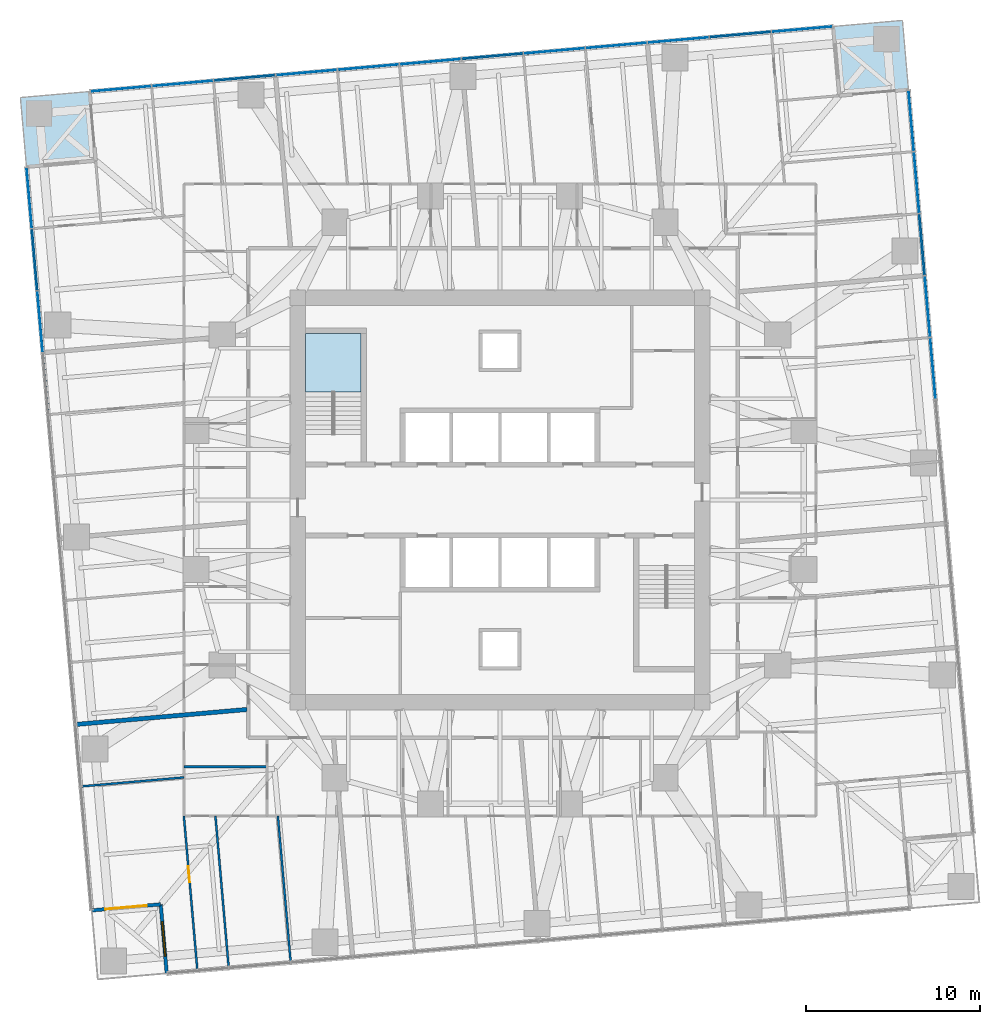
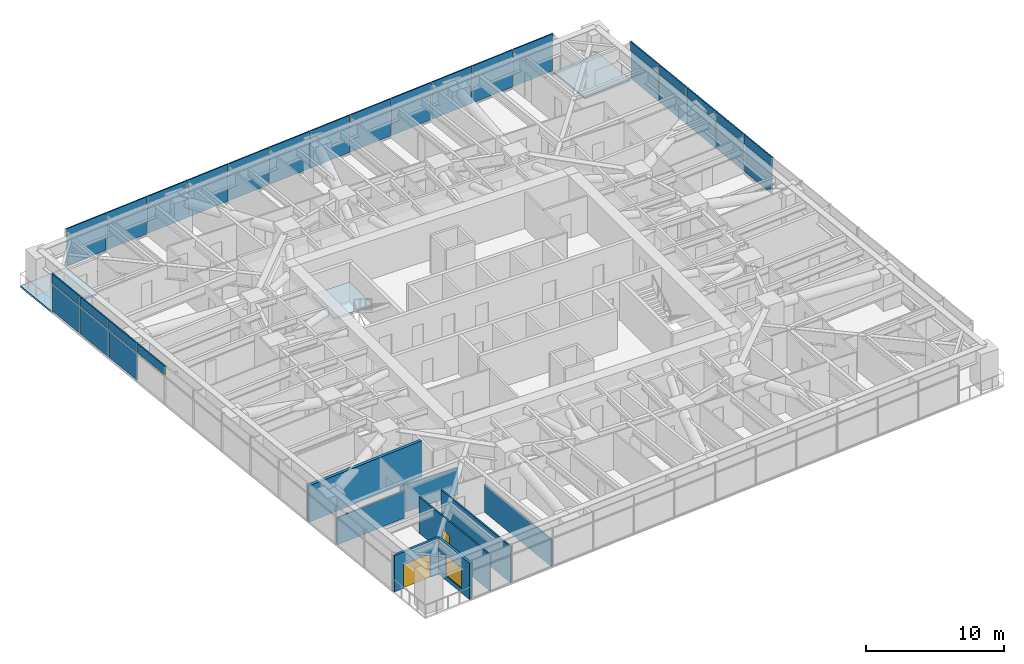
# One storey, part 10 of 18: 41 plates, 8 walls, 3 slabs, 2 doors, 1 window, 3 openings, 4 elements without a shape of their own.
"""IFC4 building model written with IfcOpenShell, lengths in metres."""

from ifc_helpers import new_model, si_unit, direction, frame, frame_2d, origin, origin_2d, place, context, subcontext, project, spatial, polyline, rectangle, outline, extrude, material, layer, layer_set, type_object, element, fill, aggregate, save


model = new_model("IFC4")

# Units and contexts
model_context = context("Model", 3, precision=1e-05, world=origin(), true_north=direction((0.0, 1.0)))
body_context = subcontext(model_context, "Body", "Model", "MODEL_VIEW")
ifc_project = project(units=[si_unit("LENGTHUNIT", "METRE"), si_unit("AREAUNIT", "SQUARE_METRE"), si_unit("VOLUMEUNIT", "CUBIC_METRE"), si_unit("PLANEANGLEUNIT", "RADIAN"), si_unit("MASSUNIT", "GRAM", prefix="KILO")], contexts=[model_context])

# Site, building, storey
site_placement = place(None, origin())
site = spatial("IfcSite", under=ifc_project, at=site_placement, CompositionType="ELEMENT")
building_placement = place(site_placement, origin())
building = spatial("IfcBuilding", under=site, at=building_placement, Name="Torsade Residences", CompositionType="ELEMENT")
storey_placement = place(building_placement, frame((0.0, 0.0, 71.0)))
storey = spatial("IfcBuildingStorey", under=building, at=storey_placement, Name="L19", CompositionType="ELEMENT", Elevation=71.0)

# Curtain wall, plates
ifc_material_1 = material(Name="Aluminium and glass", Category="aluminium")
curtain_wall_type = type_object("IfcCurtainWallType", Name="FRITTED GLASS CURTAIN WALL LOW ZONE", PredefinedType="NOTDEFINED", material=ifc_material_1)
curtain_wall_1_placement = place(storey_placement, origin())
curtain_wall_1 = element("IfcCurtainWall", 1, at=curtain_wall_1_placement, inside=storey, type_object=curtain_wall_type, Name="Curtain wall L19 face 4", PredefinedType="NOTDEFINED")
ifc_material_2 = material(Name="Laminated glass", Category="glass")
ifc_layer_1 = layer(ifc_material_2, 0.031982421875)
ifc_layer_set_1 = layer_set([ifc_layer_1], Name="Laminated glass")
plate_type_1 = type_object("IfcPlateType", Name="FRITTED GLASS PANEL", PredefinedType="CURTAIN_PANEL", material=ifc_layer_set_1)
plate_1_placement = place(storey_placement, frame((64.9345703125, 37.576904296875, 0.10009765625), z_axis=(0.0, 0.0, 1.0), x_axis=(-0.087155744208, 0.996194697964, 0.0)))
plate_1 = element("IfcPlate", 2, at=plate_1_placement, type_object=plate_type_1, Name="Panel 8", PredefinedType="CURTAIN_PANEL", context=body_context, shape_type="SweptSolid", body=[
    extrude(rectangle(XDim=3.518310546875, YDim=0.031982421875, at=origin_2d()), origin(), (0.0, 0.0, 1.0), 2.39990234375),
])
plate_2_placement = place(storey_placement, frame((64.622314453125, 41.146728515625, 0.10009765625), z_axis=(0.0, 0.0, 1.0), x_axis=(-0.087155744208, 0.996194697964, 0.0)))
plate_2 = element("IfcPlate", 3, at=plate_2_placement, type_object=plate_type_1, Name="Panel 9", PredefinedType="CURTAIN_PANEL", context=body_context, shape_type="SweptSolid", body=[
    extrude(rectangle(XDim=3.518310546875, YDim=0.031982421875, at=origin_2d()), origin(), (0.0, 0.0, 1.0), 2.39990234375),
])
plate_3_placement = place(storey_placement, frame((63.99755859375, 48.2861328125, 0.10009765625), z_axis=(0.0, 0.0, 1.0), x_axis=(-0.087155744208, 0.996194697964, 0.0)))
plate_3 = element("IfcPlate", 4, at=plate_3_placement, type_object=plate_type_1, Name="Panel 11", PredefinedType="CURTAIN_PANEL", context=body_context, shape_type="SweptSolid", body=[
    extrude(rectangle(XDim=3.518310546875, YDim=0.031982421875, at=origin_2d()), origin(), (0.0, 0.0, 1.0), 2.39990234375),
])
plate_4_placement = place(storey_placement, frame((63.686767578125, 51.839599609375, 0.10009765625), z_axis=(0.0, 0.0, 1.0), x_axis=(-0.087155744208, 0.996194697964, 0.0)))
plate_4 = element("IfcPlate", 5, at=plate_4_placement, type_object=plate_type_1, Name="Panel 12", PredefinedType="CURTAIN_PANEL", context=body_context, shape_type="SweptSolid", body=[
    extrude(rectangle(XDim=3.48583984375, YDim=0.031982421875, at=origin_2d()), origin(), (0.0, 0.0, 1.0), 2.39990234375),
])

curtain_wall_2_placement = place(storey_placement, origin())
curtain_wall_2 = element("IfcCurtainWall", 6, at=curtain_wall_2_placement, inside=storey, type_object=curtain_wall_type, Name="Curtain wall L19 face 7", PredefinedType="NOTDEFINED")
plate_5_placement = place(storey_placement, frame((57.394775390625, 57.119140625, 0.10009765625), z_axis=(0.0, 0.0, 1.0), x_axis=(-0.996194697964, -0.087155744208, 0.0)))
plate_5 = element("IfcPlate", 7, at=plate_5_placement, type_object=plate_type_1, Name="Panel 1", PredefinedType="CURTAIN_PANEL", context=body_context, shape_type="SweptSolid", body=[
    extrude(rectangle(XDim=3.48583984375, YDim=0.031982421875, at=origin_2d()), origin(), (0.0, 0.0, 1.0), 2.39990234375),
])
plate_6_placement = place(storey_placement, frame((50.271484375, 56.49609375, 0.10009765625), z_axis=(0.0, 0.0, 1.0), x_axis=(-0.996194697964, -0.087155744208, 0.0)))
plate_6 = element("IfcPlate", 8, at=plate_6_placement, type_object=plate_type_1, Name="Panel 3", PredefinedType="CURTAIN_PANEL", context=body_context, shape_type="SweptSolid", body=[
    extrude(rectangle(XDim=3.518310546875, YDim=0.031982421875, at=origin_2d()), origin(), (0.0, 0.0, 1.0), 2.39990234375),
])
plate_7_placement = place(storey_placement, frame((46.70166015625, 56.183837890625, 0.10009765625), z_axis=(0.0, 0.0, 1.0), x_axis=(-0.996194697964, -0.087155744208, 0.0)))
plate_7 = element("IfcPlate", 9, at=plate_7_placement, type_object=plate_type_1, Name="Panel 4", PredefinedType="CURTAIN_PANEL", context=body_context, shape_type="SweptSolid", body=[
    extrude(rectangle(XDim=3.518310546875, YDim=0.031982421875, at=origin_2d()), origin(), (0.0, 0.0, 1.0), 2.39990234375),
])
plate_8_placement = place(storey_placement, frame((43.132080078125, 55.871337890625, 0.10009765625), z_axis=(0.0, 0.0, 1.0), x_axis=(-0.996194697964, -0.087155744208, 0.0)))
plate_8 = element("IfcPlate", 10, at=plate_8_placement, type_object=plate_type_1, Name="Panel 5", PredefinedType="CURTAIN_PANEL", context=body_context, shape_type="SweptSolid", body=[
    extrude(rectangle(XDim=3.518310546875, YDim=0.031982421875, at=origin_2d()), origin(), (0.0, 0.0, 1.0), 2.39990234375),
])
plate_9_placement = place(storey_placement, frame((35.99267578125, 55.246826171875, 0.10009765625), z_axis=(0.0, 0.0, 1.0), x_axis=(-0.996194697964, -0.087155744208, 0.0)))
plate_9 = element("IfcPlate", 11, at=plate_9_placement, type_object=plate_type_1, Name="Panel 7", PredefinedType="CURTAIN_PANEL", context=body_context, shape_type="SweptSolid", body=[
    extrude(rectangle(XDim=3.518310546875, YDim=0.031982421875, at=origin_2d()), origin(), (0.0, 0.0, 1.0), 2.39990234375),
])
plate_10_placement = place(storey_placement, frame((32.423095703125, 54.9345703125, 0.10009765625), z_axis=(0.0, 0.0, 1.0), x_axis=(-0.996194697964, -0.087155744208, 0.0)))
plate_10 = element("IfcPlate", 12, at=plate_10_placement, type_object=plate_type_1, Name="Panel 8", PredefinedType="CURTAIN_PANEL", context=body_context, shape_type="SweptSolid", body=[
    extrude(rectangle(XDim=3.518310546875, YDim=0.031982421875, at=origin_2d()), origin(), (0.0, 0.0, 1.0), 2.39990234375),
])
plate_11_placement = place(storey_placement, frame((28.853271484375, 54.622314453125, 0.10009765625), z_axis=(0.0, 0.0, 1.0), x_axis=(-0.996194697964, -0.087155744208, 0.0)))
plate_11 = element("IfcPlate", 13, at=plate_11_placement, type_object=plate_type_1, Name="Panel 9", PredefinedType="CURTAIN_PANEL", context=body_context, shape_type="SweptSolid", body=[
    extrude(rectangle(XDim=3.518310546875, YDim=0.031982421875, at=origin_2d()), origin(), (0.0, 0.0, 1.0), 2.39990234375),
])
plate_12_placement = place(storey_placement, frame((21.7138671875, 53.99755859375, 0.10009765625), z_axis=(0.0, 0.0, 1.0), x_axis=(-0.996194697964, -0.087155744208, 0.0)))
plate_12 = element("IfcPlate", 14, at=plate_12_placement, type_object=plate_type_1, Name="Panel 11", PredefinedType="CURTAIN_PANEL", context=body_context, shape_type="SweptSolid", body=[
    extrude(rectangle(XDim=3.518310546875, YDim=0.031982421875, at=origin_2d()), origin(), (0.0, 0.0, 1.0), 2.39990234375),
])
plate_13_placement = place(storey_placement, frame((18.160400390625, 53.686767578125, 0.10009765625), z_axis=(0.0, 0.0, 1.0), x_axis=(-0.996194697964, -0.087155744208, 0.0)))
plate_13 = element("IfcPlate", 15, at=plate_13_placement, type_object=plate_type_1, Name="Panel 12", PredefinedType="CURTAIN_PANEL", context=body_context, shape_type="SweptSolid", body=[
    extrude(rectangle(XDim=3.48583984375, YDim=0.031982421875, at=origin_2d()), origin(), (0.0, 0.0, 1.0), 2.39990234375),
])

curtain_wall_3_placement = place(storey_placement, origin())
curtain_wall_3 = element("IfcCurtainWall", 16, at=curtain_wall_3_placement, inside=storey, type_object=curtain_wall_type, Name="Curtain wall L19 face 10", PredefinedType="NOTDEFINED")
plate_14_placement = place(storey_placement, frame((12.880859375, 47.394775390625, 0.10009765625), z_axis=(0.0, 0.0, 1.0), x_axis=(0.087155744208, -0.996194697964, 0.0)))
plate_14 = element("IfcPlate", 17, at=plate_14_placement, type_object=plate_type_1, Name="Panel 1", PredefinedType="CURTAIN_PANEL", context=body_context, shape_type="SweptSolid", body=[
    extrude(rectangle(XDim=3.48583984375, YDim=0.031982421875, at=origin_2d()), origin(), (0.0, 0.0, 1.0), 2.39990234375),
])
plate_15_placement = place(storey_placement, frame((13.50390625, 40.271484375, 0.10009765625), z_axis=(0.0, 0.0, 1.0), x_axis=(0.087155744208, -0.996194697964, 0.0)))
plate_15 = element("IfcPlate", 18, at=plate_15_placement, type_object=plate_type_1, Name="Panel 3", PredefinedType="CURTAIN_PANEL", context=body_context, shape_type="SweptSolid", body=[
    extrude(rectangle(XDim=3.518310546875, YDim=0.031982421875, at=origin_2d()), origin(), (0.0, 0.0, 1.0), 2.39990234375),
])

# Plate
ifc_material_3 = material(Name="Aluminium composite spandrel panel", Category="aluminium")
ifc_layer_2 = layer(ifc_material_3, 0.10009765625)
ifc_layer_set_2 = layer_set([ifc_layer_2], Name="Aluminium composite spandrel panel")
plate_type_2 = type_object("IfcPlateType", Name="OPAQUE SPANDREL PANEL", PredefinedType="CURTAIN_PANEL", material=ifc_layer_set_2)
plate_16_placement = place(storey_placement, frame((64.9345703125, 37.576904296875, 2.60009765625), z_axis=(0.0, 0.0, 1.0), x_axis=(-0.087155744208, 0.996194697964, 0.0)))
plate_16 = element("IfcPlate", 19, at=plate_16_placement, type_object=plate_type_2, Name="Spandrel panel 8", PredefinedType="CURTAIN_PANEL", context=body_context, shape_type="SweptSolid", body=[
    extrude(rectangle(XDim=3.518310546875, YDim=0.10009765625, at=origin_2d()), origin(), (0.0, 0.0, 1.0), 0.800048828125),
])

plate_17_placement = place(storey_placement, frame((64.622314453125, 41.146728515625, 2.60009765625), z_axis=(0.0, 0.0, 1.0), x_axis=(-0.087155744208, 0.996194697964, 0.0)))
plate_17 = element("IfcPlate", 20, at=plate_17_placement, type_object=plate_type_2, Name="Spandrel panel 9", PredefinedType="CURTAIN_PANEL", context=body_context, shape_type="SweptSolid", body=[
    extrude(rectangle(XDim=3.518310546875, YDim=0.10009765625, at=origin_2d()), origin(), (0.0, 0.0, 1.0), 0.800048828125),
])

plate_18_placement = place(storey_placement, frame((64.309814453125, 44.71630859375, 2.60009765625), z_axis=(0.0, 0.0, 1.0), x_axis=(-0.087155744208, 0.996194697964, 0.0)))
plate_18 = element("IfcPlate", 21, at=plate_18_placement, type_object=plate_type_2, Name="Spandrel panel 10", PredefinedType="CURTAIN_PANEL", context=body_context, shape_type="SweptSolid", body=[
    extrude(rectangle(XDim=3.518310546875, YDim=0.10009765625, at=origin_2d()), origin(), (0.0, 0.0, 1.0), 0.800048828125),
])

plate_19_placement = place(storey_placement, frame((63.99755859375, 48.2861328125, 2.60009765625), z_axis=(0.0, 0.0, 1.0), x_axis=(-0.087155744208, 0.996194697964, 0.0)))
plate_19 = element("IfcPlate", 22, at=plate_19_placement, type_object=plate_type_2, Name="Spandrel panel 11", PredefinedType="CURTAIN_PANEL", context=body_context, shape_type="SweptSolid", body=[
    extrude(rectangle(XDim=3.518310546875, YDim=0.10009765625, at=origin_2d()), origin(), (0.0, 0.0, 1.0), 0.800048828125),
])

plate_20_placement = place(storey_placement, frame((63.686767578125, 51.839599609375, 2.60009765625), z_axis=(0.0, 0.0, 1.0), x_axis=(-0.087155744208, 0.996194697964, 0.0)))
plate_20 = element("IfcPlate", 23, at=plate_20_placement, type_object=plate_type_2, Name="Spandrel panel 12", PredefinedType="CURTAIN_PANEL", context=body_context, shape_type="SweptSolid", body=[
    extrude(rectangle(XDim=3.48583984375, YDim=0.10009765625, at=origin_2d()), origin(), (0.0, 0.0, 1.0), 0.800048828125),
])

plate_21_placement = place(storey_placement, frame((57.394775390625, 57.119140625, 2.60009765625), z_axis=(0.0, 0.0, 1.0), x_axis=(-0.996194697964, -0.087155744208, 0.0)))
plate_21 = element("IfcPlate", 24, at=plate_21_placement, type_object=plate_type_2, Name="Spandrel panel 1", PredefinedType="CURTAIN_PANEL", context=body_context, shape_type="SweptSolid", body=[
    extrude(rectangle(XDim=3.48583984375, YDim=0.10009765625, at=origin_2d()), origin(), (0.0, 0.0, 1.0), 0.800048828125),
])

plate_22_placement = place(storey_placement, frame((53.841064453125, 56.808349609375, 2.60009765625), z_axis=(0.0, 0.0, 1.0), x_axis=(-0.996194697964, -0.087155744208, 0.0)))
plate_22 = element("IfcPlate", 25, at=plate_22_placement, type_object=plate_type_2, Name="Spandrel panel 2", PredefinedType="CURTAIN_PANEL", context=body_context, shape_type="SweptSolid", body=[
    extrude(rectangle(XDim=3.518310546875, YDim=0.10009765625, at=origin_2d()), origin(), (0.0, 0.0, 1.0), 0.800048828125),
])

plate_23_placement = place(storey_placement, frame((50.271484375, 56.49609375, 2.60009765625), z_axis=(0.0, 0.0, 1.0), x_axis=(-0.996194697964, -0.087155744208, 0.0)))
plate_23 = element("IfcPlate", 26, at=plate_23_placement, type_object=plate_type_2, Name="Spandrel panel 3", PredefinedType="CURTAIN_PANEL", context=body_context, shape_type="SweptSolid", body=[
    extrude(rectangle(XDim=3.518310546875, YDim=0.10009765625, at=origin_2d()), origin(), (0.0, 0.0, 1.0), 0.800048828125),
])

plate_24_placement = place(storey_placement, frame((46.70166015625, 56.183837890625, 2.60009765625), z_axis=(0.0, 0.0, 1.0), x_axis=(-0.996194697964, -0.087155744208, 0.0)))
plate_24 = element("IfcPlate", 27, at=plate_24_placement, type_object=plate_type_2, Name="Spandrel panel 4", PredefinedType="CURTAIN_PANEL", context=body_context, shape_type="SweptSolid", body=[
    extrude(rectangle(XDim=3.518310546875, YDim=0.10009765625, at=origin_2d()), origin(), (0.0, 0.0, 1.0), 0.800048828125),
])

plate_25_placement = place(storey_placement, frame((43.132080078125, 55.871337890625, 2.60009765625), z_axis=(0.0, 0.0, 1.0), x_axis=(-0.996194697964, -0.087155744208, 0.0)))
plate_25 = element("IfcPlate", 28, at=plate_25_placement, type_object=plate_type_2, Name="Spandrel panel 5", PredefinedType="CURTAIN_PANEL", context=body_context, shape_type="SweptSolid", body=[
    extrude(rectangle(XDim=3.518310546875, YDim=0.10009765625, at=origin_2d()), origin(), (0.0, 0.0, 1.0), 0.800048828125),
])

plate_26_placement = place(storey_placement, frame((39.562255859375, 55.55908203125, 2.60009765625), z_axis=(0.0, 0.0, 1.0), x_axis=(-0.996194697964, -0.087155744208, 0.0)))
plate_26 = element("IfcPlate", 29, at=plate_26_placement, type_object=plate_type_2, Name="Spandrel panel 6", PredefinedType="CURTAIN_PANEL", context=body_context, shape_type="SweptSolid", body=[
    extrude(rectangle(XDim=3.518310546875, YDim=0.10009765625, at=origin_2d()), origin(), (0.0, 0.0, 1.0), 0.800048828125),
])

plate_27_placement = place(storey_placement, frame((35.99267578125, 55.246826171875, 2.60009765625), z_axis=(0.0, 0.0, 1.0), x_axis=(-0.996194697964, -0.087155744208, 0.0)))
plate_27 = element("IfcPlate", 30, at=plate_27_placement, type_object=plate_type_2, Name="Spandrel panel 7", PredefinedType="CURTAIN_PANEL", context=body_context, shape_type="SweptSolid", body=[
    extrude(rectangle(XDim=3.518310546875, YDim=0.10009765625, at=origin_2d()), origin(), (0.0, 0.0, 1.0), 0.800048828125),
])

plate_28_placement = place(storey_placement, frame((32.423095703125, 54.9345703125, 2.60009765625), z_axis=(0.0, 0.0, 1.0), x_axis=(-0.996194697964, -0.087155744208, 0.0)))
plate_28 = element("IfcPlate", 31, at=plate_28_placement, type_object=plate_type_2, Name="Spandrel panel 8", PredefinedType="CURTAIN_PANEL", context=body_context, shape_type="SweptSolid", body=[
    extrude(rectangle(XDim=3.518310546875, YDim=0.10009765625, at=origin_2d()), origin(), (0.0, 0.0, 1.0), 0.800048828125),
])

plate_29_placement = place(storey_placement, frame((28.853271484375, 54.622314453125, 2.60009765625), z_axis=(0.0, 0.0, 1.0), x_axis=(-0.996194697964, -0.087155744208, 0.0)))
plate_29 = element("IfcPlate", 32, at=plate_29_placement, type_object=plate_type_2, Name="Spandrel panel 9", PredefinedType="CURTAIN_PANEL", context=body_context, shape_type="SweptSolid", body=[
    extrude(rectangle(XDim=3.518310546875, YDim=0.10009765625, at=origin_2d()), origin(), (0.0, 0.0, 1.0), 0.800048828125),
])

plate_30_placement = place(storey_placement, frame((25.28369140625, 54.309814453125, 2.60009765625), z_axis=(0.0, 0.0, 1.0), x_axis=(-0.996194697964, -0.087155744208, 0.0)))
plate_30 = element("IfcPlate", 33, at=plate_30_placement, type_object=plate_type_2, Name="Spandrel panel 10", PredefinedType="CURTAIN_PANEL", context=body_context, shape_type="SweptSolid", body=[
    extrude(rectangle(XDim=3.518310546875, YDim=0.10009765625, at=origin_2d()), origin(), (0.0, 0.0, 1.0), 0.800048828125),
])

plate_31_placement = place(storey_placement, frame((21.7138671875, 53.99755859375, 2.60009765625), z_axis=(0.0, 0.0, 1.0), x_axis=(-0.996194697964, -0.087155744208, 0.0)))
plate_31 = element("IfcPlate", 34, at=plate_31_placement, type_object=plate_type_2, Name="Spandrel panel 11", PredefinedType="CURTAIN_PANEL", context=body_context, shape_type="SweptSolid", body=[
    extrude(rectangle(XDim=3.518310546875, YDim=0.10009765625, at=origin_2d()), origin(), (0.0, 0.0, 1.0), 0.800048828125),
])

plate_32_placement = place(storey_placement, frame((18.160400390625, 53.686767578125, 2.60009765625), z_axis=(0.0, 0.0, 1.0), x_axis=(-0.996194697964, -0.087155744208, 0.0)))
plate_32 = element("IfcPlate", 35, at=plate_32_placement, type_object=plate_type_2, Name="Spandrel panel 12", PredefinedType="CURTAIN_PANEL", context=body_context, shape_type="SweptSolid", body=[
    extrude(rectangle(XDim=3.48583984375, YDim=0.10009765625, at=origin_2d()), origin(), (0.0, 0.0, 1.0), 0.800048828125),
])

plate_33_placement = place(storey_placement, frame((12.880859375, 47.394775390625, 2.60009765625), z_axis=(0.0, 0.0, 1.0), x_axis=(0.087155744208, -0.996194697964, 0.0)))
plate_33 = element("IfcPlate", 36, at=plate_33_placement, type_object=plate_type_2, Name="Spandrel panel 1", PredefinedType="CURTAIN_PANEL", context=body_context, shape_type="SweptSolid", body=[
    extrude(rectangle(XDim=3.48583984375, YDim=0.10009765625, at=origin_2d()), origin(), (0.0, 0.0, 1.0), 0.800048828125),
])

plate_34_placement = place(storey_placement, frame((13.191650390625, 43.841064453125, 2.60009765625), z_axis=(0.0, 0.0, 1.0), x_axis=(0.087155744208, -0.996194697964, 0.0)))
plate_34 = element("IfcPlate", 37, at=plate_34_placement, type_object=plate_type_2, Name="Spandrel panel 2", PredefinedType="CURTAIN_PANEL", context=body_context, shape_type="SweptSolid", body=[
    extrude(rectangle(XDim=3.518310546875, YDim=0.10009765625, at=origin_2d()), origin(), (0.0, 0.0, 1.0), 0.800048828125),
])

plate_35_placement = place(storey_placement, frame((13.50390625, 40.271484375, 2.60009765625), z_axis=(0.0, 0.0, 1.0), x_axis=(0.087155744208, -0.996194697964, 0.0)))
plate_35 = element("IfcPlate", 38, at=plate_35_placement, type_object=plate_type_2, Name="Spandrel panel 3", PredefinedType="CURTAIN_PANEL", context=body_context, shape_type="SweptSolid", body=[
    extrude(rectangle(XDim=3.518310546875, YDim=0.10009765625, at=origin_2d()), origin(), (0.0, 0.0, 1.0), 0.800048828125),
])

plate_36_placement = place(storey_placement, frame((13.816162109375, 36.70166015625, 2.60009765625), z_axis=(0.0, 0.0, 1.0), x_axis=(0.087155744208, -0.996194697964, 0.0)))
plate_36 = element("IfcPlate", 39, at=plate_36_placement, type_object=plate_type_2, Name="Spandrel panel 4", PredefinedType="CURTAIN_PANEL", context=body_context, shape_type="SweptSolid", body=[
    extrude(rectangle(XDim=3.518310546875, YDim=0.10009765625, at=origin_2d()), origin(), (0.0, 0.0, 1.0), 0.800048828125),
])

ifc_material_4 = material(Name="Laminated glass", Category="glass")
ifc_layer_3 = layer(ifc_material_4, 0.0400390625)
ifc_layer_set_3 = layer_set([ifc_layer_3], Name="Laminated glass")
plate_type_3 = type_object("IfcPlateType", Name="OPERABLE VENT PANEL", PredefinedType="CURTAIN_PANEL", material=ifc_layer_set_3)
plate_37_placement = place(storey_placement, frame((64.309814453125, 44.71630859375, 0.10009765625), z_axis=(0.0, 0.0, 1.0), x_axis=(-0.087155744208, 0.996194697964, 0.0)))
plate_37 = element("IfcPlate", 40, at=plate_37_placement, type_object=plate_type_3, Name="Panel 10", PredefinedType="CURTAIN_PANEL", context=body_context, shape_type="SweptSolid", body=[
    extrude(rectangle(XDim=3.518310546875, YDim=0.0400390625, at=origin_2d()), origin(), (0.0, 0.0, 1.0), 2.39990234375),
])

aggregate(curtain_wall_1, [plate_1, plate_16, plate_2, plate_17, plate_37, plate_18, plate_3, plate_19, plate_4, plate_20])

plate_38_placement = place(storey_placement, frame((53.841064453125, 56.808349609375, 0.10009765625), z_axis=(0.0, 0.0, 1.0), x_axis=(-0.996194697964, -0.087155744208, 0.0)))
plate_38 = element("IfcPlate", 41, at=plate_38_placement, type_object=plate_type_3, Name="Panel 2", PredefinedType="CURTAIN_PANEL", context=body_context, shape_type="SweptSolid", body=[
    extrude(rectangle(XDim=3.518310546875, YDim=0.0400390625, at=origin_2d()), origin(), (0.0, 0.0, 1.0), 2.39990234375),
])

plate_39_placement = place(storey_placement, frame((39.562255859375, 55.55908203125, 0.10009765625), z_axis=(0.0, 0.0, 1.0), x_axis=(-0.996194697964, -0.087155744208, 0.0)))
plate_39 = element("IfcPlate", 42, at=plate_39_placement, type_object=plate_type_3, Name="Panel 6", PredefinedType="CURTAIN_PANEL", context=body_context, shape_type="SweptSolid", body=[
    extrude(rectangle(XDim=3.518310546875, YDim=0.0400390625, at=origin_2d()), origin(), (0.0, 0.0, 1.0), 2.39990234375),
])

plate_40_placement = place(storey_placement, frame((25.28369140625, 54.309814453125, 0.10009765625), z_axis=(0.0, 0.0, 1.0), x_axis=(-0.996194697964, -0.087155744208, 0.0)))
plate_40 = element("IfcPlate", 43, at=plate_40_placement, type_object=plate_type_3, Name="Panel 10", PredefinedType="CURTAIN_PANEL", context=body_context, shape_type="SweptSolid", body=[
    extrude(rectangle(XDim=3.518310546875, YDim=0.0400390625, at=origin_2d()), origin(), (0.0, 0.0, 1.0), 2.39990234375),
])

aggregate(curtain_wall_2, [plate_5, plate_21, plate_38, plate_22, plate_6, plate_23, plate_7, plate_24, plate_8, plate_25, plate_39, plate_26, plate_9, plate_27, plate_10, plate_28, plate_11, plate_29, plate_40, plate_30, plate_12, plate_31, plate_13, plate_32])

plate_41_placement = place(storey_placement, frame((13.191650390625, 43.841064453125, 0.10009765625), z_axis=(0.0, 0.0, 1.0), x_axis=(0.087155744208, -0.996194697964, 0.0)))
plate_41 = element("IfcPlate", 44, at=plate_41_placement, type_object=plate_type_3, Name="Panel 2", PredefinedType="CURTAIN_PANEL", context=body_context, shape_type="SweptSolid", body=[
    extrude(rectangle(XDim=3.518310546875, YDim=0.0400390625, at=origin_2d()), origin(), (0.0, 0.0, 1.0), 2.39990234375),
])

aggregate(curtain_wall_3, [plate_14, plate_33, plate_41, plate_34, plate_15, plate_35, plate_36])

# Stair, slab
ifc_material_5 = material(Name="Precast concrete 40 MPa", Category="concrete")
stair_type = type_object("IfcStairType", Name="HALF-TURN FIRE STAIR 1500x3400", PredefinedType="HALF_TURN_STAIR", material=ifc_material_5)
stair_placement = place(storey_placement, origin())
stair = element("IfcStair", 45, at=stair_placement, inside=storey, type_object=stair_type, Name="Stair ST1 L19", PredefinedType="HALF_TURN_STAIR")
ifc_material_6 = material(Name="Precast concrete 40 MPa", Category="concrete")
ifc_layer_4 = layer(ifc_material_6, 0.179931640625)
ifc_layer_set_4 = layer_set([ifc_layer_4], Name="Precast concrete 40 MPa")
slab_type_1 = type_object("IfcSlabType", Name="PRECAST STAIR LANDING 180", PredefinedType="LANDING", material=ifc_layer_set_4)
slab_1_placement = place(storey_placement, frame((0.0, 0.0, 1.52001953125)))
slab_1 = element("IfcSlab", 46, at=slab_1_placement, type_object=slab_type_1, Name="ST1 landing 1", PredefinedType="LANDING", context=body_context, shape_type="SweptSolid", body=[
    extrude(outline(polyline([(28.800048828125, 36.2099609375), (32.0, 36.2099609375), (32.0, 39.60009765625), (28.800048828125, 39.60009765625), (28.800048828125, 36.2099609375)])), origin(), (0.0, 0.0, 1.0), 0.179931640625),
])
aggregate(stair, [slab_1])

# Slabs
ifc_material_7 = material(Name="Concrete 40 MPa", Category="concrete")
ifc_layer_5 = layer(ifc_material_7, 0.14990234375)
ifc_layer_set_5 = layer_set([ifc_layer_5], Name="Concrete 40 MPa")
slab_type_2 = type_object("IfcSlabType", Name="TERRACE SLAB 150", PredefinedType="FLOOR", material=ifc_layer_set_5)
slab_2_placement = place(storey_placement, frame((0.0, 0.0, -0.14990234375)))
element("IfcSlab", 47, at=slab_2_placement, inside=storey, type_object=slab_type_2, Name="Corner terrace slab NE L19", PredefinedType="FLOOR", context=body_context, shape_type="SweptSolid", body=[
    extrude(outline(polyline([(59.54443359375, 53.2919921875), (63.529052734375, 53.640625), (63.180419921875, 57.62548828125), (59.19580078125, 57.27685546875), (59.54443359375, 53.2919921875)])), origin(), (0.0, 0.0, 1.0), 0.14990234375),
])
slab_3_placement = place(storey_placement, frame((0.0, 0.0, -0.14990234375)))
element("IfcSlab", 48, at=slab_3_placement, inside=storey, type_object=slab_type_2, Name="Corner terrace slab NW L19", PredefinedType="FLOOR", context=body_context, shape_type="SweptSolid", body=[
    extrude(outline(polyline([(12.72314453125, 49.19580078125), (16.7080078125, 49.54443359375), (16.359375, 53.529052734375), (12.37451171875, 53.180419921875), (12.72314453125, 49.19580078125)])), origin(), (0.0, 0.0, 1.0), 0.14990234375),
])

# Walls
ifc_material_8 = material(Name="Plasterboard on steel stud", Category="steel")
ifc_layer_6 = layer(ifc_material_8, 0.1201171875)
ifc_layer_set_6 = layer_set([ifc_layer_6], Name="Plasterboard on steel stud")
wall_type_1 = type_object("IfcWallType", Name="PARTITION 120", PredefinedType="PARTITIONING", material=ifc_layer_set_6)
wall_1_placement = place(storey_placement, frame((26.58642578125, 14.6337890625, 0.0), z_axis=(0.0, 0.0, 1.0), x_axis=(-1.0, 0.0, 0.0)))
element("IfcWall", 49, at=wall_1_placement, inside=storey, type_object=wall_type_1, Name="Partition L19", PredefinedType="PARTITIONING", context=body_context, shape_type="SweptSolid", body=[
    extrude(rectangle(XDim=4.786376953125, YDim=0.1201171875, at=frame_2d((2.39306640625, 0.0))), origin(), (0.0, 0.0, 1.0), 2.39892578125),
])
wall_2_placement = place(storey_placement, frame((15.88623046875, 13.502197265625, 0.0), z_axis=(0.0, 0.0, 1.0), x_axis=(0.996195547509, 0.087146033323, 0.0)))
element("IfcWall", 50, at=wall_2_placement, inside=storey, type_object=wall_type_1, Name="Partition L19", PredefinedType="PARTITIONING", context=body_context, shape_type="SweptSolid", body=[
    extrude(rectangle(XDim=5.9365234375, YDim=0.1201171875, at=frame_2d((2.96826171875, 0.0))), origin(), (0.0, 0.0, 1.0), 2.39892578125),
])

# Wall, opening, door
wall_3_placement = place(storey_placement, frame((21.7900390625, 11.800048828125, 0.0), z_axis=(0.0, 0.0, 1.0), x_axis=(0.087153024244, -0.996194935926, 0.0)))
wall_3 = element("IfcWall", 51, at=wall_3_placement, inside=storey, type_object=wall_type_1, Name="Partition L19", PredefinedType="PARTITIONING", context=body_context, shape_type="SweptSolid", body=[
    extrude(rectangle(XDim=8.91650390625, YDim=0.1201171875, at=frame_2d((4.458251953125, 0.0))), origin(), (0.0, 0.0, 1.0), 3.199951171875),
])
opening_1_placement = place(wall_3_placement, frame((2.9130859375, 0.0, 0.0)))
opening_1 = element("IfcOpeningElement", 52, at=opening_1_placement, cuts=wall_3, Name="Opening D02N", PredefinedType="OPENING", context=body_context, shape_type="SweptSolid", body=[
    extrude(rectangle(XDim=0.919921875, YDim=2.0, at=frame_2d((0.4599609375, 1.0))), frame((0.0, 0.070068359375, 0.0), z_axis=(0.0, -1.0, 0.0), x_axis=(1.0, 0.0, 0.0)), (0.0, 0.0, 1.0), 0.14013671875),
])
ifc_material_9 = material(Name="Hollow-core timber door", Category="wood")
door_type_1 = type_object("IfcDoorType", Name="INTERNAL DOOR 920x2000", OperationType="NOTDEFINED", PredefinedType="DOOR", material=ifc_material_9)
door_1_placement = place(opening_1_placement, origin())
door_1 = element("IfcDoor", 53, at=door_1_placement, inside=storey, type_object=door_type_1, Name="Door Walk-in robe to Living room", OperationType="SINGLE_SWING_LEFT", OverallHeight=2.0, OverallWidth=0.919921875, PredefinedType="DOOR", context=body_context, shape_type="SweptSolid", body=[
    extrude(rectangle(XDim=0.919921875, YDim=2.0, at=frame_2d((0.4599609375, 1.0))), frame((0.0, 0.02490234375, 0.0), z_axis=(0.0, -1.0, 0.0), x_axis=(1.0, 0.0, 0.0)), (0.0, 0.0, 1.0), 0.050048828125),
])
fill(opening_1, door_1)

# Walls
wall_4_placement = place(storey_placement, frame((27.2041015625, 11.800048828125, 0.0), z_axis=(0.0, 0.0, 1.0), x_axis=(0.087167308925, -0.996193686115, 0.0)))
element("IfcWall", 54, at=wall_4_placement, inside=storey, type_object=wall_type_1, Name="Partition L19", PredefinedType="PARTITIONING", context=body_context, shape_type="SweptSolid", body=[
    extrude(rectangle(XDim=8.444580078125, YDim=0.1201171875, at=frame_2d((4.22216796875, 0.0))), origin(), (0.0, 0.0, 1.0), 2.39892578125),
])
wall_5_placement = place(storey_placement, frame((24.37060546875, 3.075439453125, 0.0), z_axis=(0.0, 0.0, 1.0), x_axis=(-0.087169716747, 0.996193475426, 0.0)))
element("IfcWall", 55, at=wall_5_placement, inside=storey, type_object=wall_type_1, Name="Partition L19", PredefinedType="PARTITIONING", context=body_context, shape_type="SweptSolid", body=[
    extrude(rectangle(XDim=8.758056640625, YDim=0.1201171875, at=frame_2d((4.37890625, 0.0))), origin(), (0.0, 0.0, 1.0), 3.199951171875),
])
ifc_material_10 = material(Name="Masonry-lined stud party wall", Category="masonry")
ifc_layer_7 = layer(ifc_material_10, 0.25)
ifc_layer_set_7 = layer_set([ifc_layer_7], Name="Masonry-lined stud party wall")
wall_type_2 = type_object("IfcWallType", Name="PARTY WALL 250", PredefinedType="PARTITIONING", material=ifc_layer_set_7)
wall_6_placement = place(storey_placement, frame((15.533935546875, 17.068359375, 0.0), z_axis=(0.0, 0.0, 1.0), x_axis=(0.996194517831, 0.087157803114, 0.0)))
element("IfcWall", 56, at=wall_6_placement, inside=storey, type_object=wall_type_2, Name="Party wall L19", PredefinedType="PARTITIONING", context=body_context, shape_type="SweptSolid", body=[
    extrude(rectangle(XDim=9.932861328125, YDim=0.25, at=frame_2d((4.96630859375, 0.0))), origin(), (0.0, 0.0, 1.0), 3.199951171875),
])

# Wall, opening, door
ifc_material_11 = material(Name="Stone-faced precast concrete 40 MPa panel", Category="masonry")
ifc_layer_8 = layer(ifc_material_11, 0.199951171875)
ifc_layer_set_8 = layer_set([ifc_layer_8], Name="Stone-faced precast concrete 40 MPa panel")
wall_type_3 = type_object("IfcWallType", Name="TERRACE WALL 200", PredefinedType="SOLIDWALL", material=ifc_layer_set_8)
wall_7_placement = place(storey_placement, frame((16.470947265625, 6.359375, 0.0), z_axis=(0.0, 0.0, 1.0), x_axis=(0.99619418125, 0.087161650072, 0.0)))
wall_7 = element("IfcWall", 57, at=wall_7_placement, inside=storey, type_object=wall_type_3, Name="Terrace wall L19 11", PredefinedType="SOLIDWALL", context=body_context, shape_type="SweptSolid", body=[
    extrude(rectangle(XDim=3.999755859375, YDim=0.199951171875, at=frame_2d((2.0, 0.0))), origin(), (0.0, 0.0, 1.0), 3.199951171875),
])
opening_2_placement = place(wall_7_placement, frame((0.800048828125, 0.0, 0.0)))
opening_2 = element("IfcOpeningElement", 58, at=opening_2_placement, cuts=wall_7, Name="Opening D10A", PredefinedType="OPENING", context=body_context, shape_type="SweptSolid", body=[
    extrude(rectangle(XDim=2.39990234375, YDim=2.10009765625, at=frame_2d((1.199951171875, 1.050048828125))), frame((0.0, 0.10986328125, 0.0), z_axis=(0.0, -1.0, 0.0), x_axis=(1.0, 0.0, 0.0)), (0.0, 0.0, 1.0), 0.219970703125),
])
ifc_material_12 = material(Name="Aluminium-framed glass door", Category="aluminium")
door_type_2 = type_object("IfcDoorType", Name="TERRACE SLIDING DOOR 2400x2100", OperationType="SLIDING_TO_LEFT", PredefinedType="DOOR", material=ifc_material_12)
door_2_placement = place(opening_2_placement, origin())
door_2 = element("IfcDoor", 59, at=door_2_placement, inside=storey, type_object=door_type_2, Name="Terrace door L19 11", OperationType="SLIDING_TO_LEFT", OverallHeight=2.10009765625, OverallWidth=2.39990234375, PredefinedType="DOOR", context=body_context, shape_type="SweptSolid", body=[
    extrude(rectangle(XDim=2.39990234375, YDim=2.10009765625, at=frame_2d((1.199951171875, 1.050048828125))), frame((0.0, 0.02490234375, 0.0), z_axis=(0.0, -1.0, 0.0), x_axis=(1.0, 0.0, 0.0)), (0.0, 0.0, 1.0), 0.050048828125),
])
fill(opening_2, door_2)

# Wall, opening, window
wall_8_placement = place(storey_placement, frame((20.45556640625, 6.7080078125, 0.0), z_axis=(0.0, 0.0, 1.0), x_axis=(0.087156350505, -0.99619464492, 0.0)))
wall_8 = element("IfcWall", 60, at=wall_8_placement, inside=storey, type_object=wall_type_3, Name="Terrace wall L19 12", PredefinedType="SOLIDWALL", context=body_context, shape_type="SweptSolid", body=[
    extrude(rectangle(XDim=4.0, YDim=0.199951171875, at=frame_2d((2.0, 0.0))), origin(), (0.0, 0.0, 1.0), 3.199951171875),
])
opening_3_placement = place(wall_8_placement, frame((1.0, 0.0, 0.39990234375)))
opening_3 = element("IfcOpeningElement", 61, at=opening_3_placement, cuts=wall_8, Name="Opening W1B", PredefinedType="OPENING", context=body_context, shape_type="SweptSolid", body=[
    extrude(rectangle(XDim=2.0, YDim=1.800048828125, at=frame_2d((1.0, 0.89990234375))), frame((0.0, 0.10986328125, 0.0), z_axis=(0.0, -1.0, 0.0), x_axis=(1.0, 0.0, 0.0)), (0.0, 0.0, 1.0), 0.219970703125),
])
ifc_material_13 = material(Name="Aluminium-framed glass window", Category="aluminium")
window_type = type_object("IfcWindowType", Name="TERRACE WINDOW 2000x1800", PartitioningType="SINGLE_PANEL", PredefinedType="WINDOW", material=ifc_material_13)
window_placement = place(opening_3_placement, origin())
window = element("IfcWindow", 62, at=window_placement, inside=storey, type_object=window_type, Name="Terrace window L19 12", OverallHeight=1.800048828125, OverallWidth=2.0, PartitioningType="SINGLE_PANEL", PredefinedType="WINDOW", context=body_context, shape_type="SweptSolid", body=[
    extrude(rectangle(XDim=2.0, YDim=1.800048828125, at=frame_2d((1.0, 0.89990234375))), frame((0.0, 0.030029296875, 0.0), z_axis=(0.0, -1.0, 0.0), x_axis=(1.0, 0.0, 0.0)), (0.0, 0.0, 1.0), 0.06005859375),
])
fill(opening_3, window)

save(model, "model.ifc")
